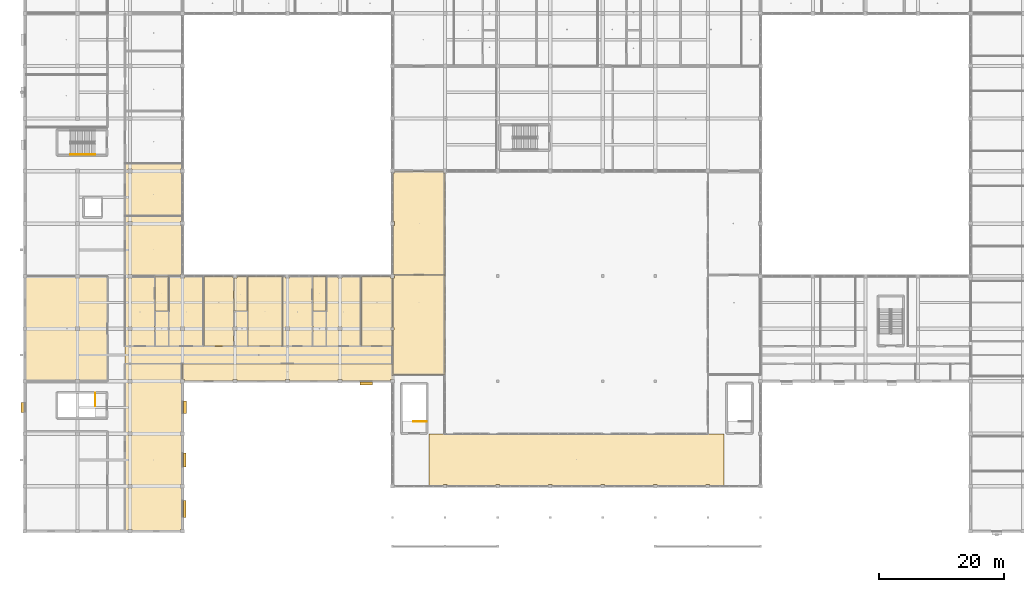
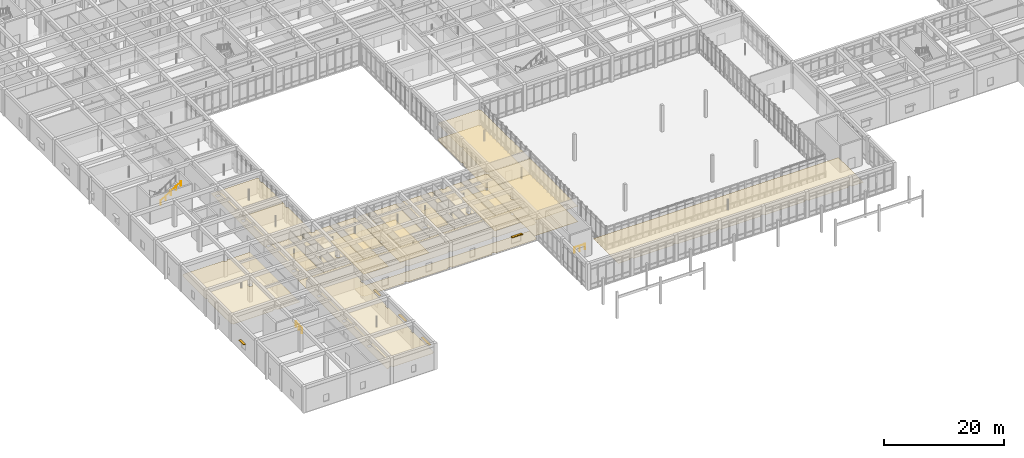
# One storey, part 135 of 157: 31 coverings, 5 shading devices, 3 railings.
"""IFC4 building model written with IfcOpenShell, lengths in metres."""

from ifc_helpers import new_model, si_unit, direction, frame, origin, origin_2d, place, context, subcontext, project, spatial, polyline, rectangle, circle, outline, extrude, material, layer, layer_set, type_object, element, save


model = new_model("IFC4")

# Units and contexts
model_context = context("Model", 3, precision=1e-05, world=origin(), true_north=direction((0.0, 1.0)))
body_context = subcontext(model_context, "Body", "Model", "MODEL_VIEW")
ifc_project = project(units=[si_unit("LENGTHUNIT", "METRE"), si_unit("AREAUNIT", "SQUARE_METRE"), si_unit("VOLUMEUNIT", "CUBIC_METRE"), si_unit("PLANEANGLEUNIT", "RADIAN"), si_unit("MASSUNIT", "GRAM", prefix="KILO")], contexts=[model_context])

# Site, building, storey
site_placement = place(None, origin())
site = spatial("IfcSite", under=ifc_project, at=site_placement, CompositionType="ELEMENT")
building_placement = place(site_placement, origin())
building = spatial("IfcBuilding", under=site, at=building_placement, Name="Varncliffe General Hospital", CompositionType="ELEMENT")
storey_placement = place(building_placement, frame((0.0, 0.0, 5.39990234375)))
storey = spatial("IfcBuildingStorey", under=building, at=storey_placement, Name="L01", CompositionType="ELEMENT", Elevation=5.39990234375)

# Coverings
ifc_material_1 = material(Name="Hygienic antimicrobial acoustic suspended ceiling tile", Category="gypsum")
ifc_layer_1 = layer(ifc_material_1, 0.02490234375)
ifc_layer_set_1 = layer_set([ifc_layer_1], Name="Hygienic antimicrobial acoustic suspended ceiling tile")
covering_type_1 = type_object("IfcCoveringType", Name="Antimicrobial Acoustic Suspended Ceiling CLG44", PredefinedType="CEILING", material=ifc_layer_set_1)
covering_1_placement = place(storey_placement, frame((0.0, 0.0, 3.175048828125)))
element("IfcCovering", 1, at=covering_1_placement, inside=storey, type_object=covering_type_1, Name="L01 Emergency South Corridor L01 Suspended Ceiling", PredefinedType="CEILING", context=body_context, shape_type="SweptSolid", body=[
    extrude(outline(polyline([(58.760009765625, 26.840087890625), (58.760009765625, 29.56005859375), (16.0400390625, 29.56005859375), (16.0400390625, 26.840087890625), (58.760009765625, 26.840087890625)])), origin(), (0.0, 0.0, 1.0), 0.025146484375),
])
covering_2_placement = place(storey_placement, frame((0.0, 0.0, 3.175048828125)))
element("IfcCovering", 2, at=covering_2_placement, inside=storey, type_object=covering_type_1, Name="L01 South Concourse Overlook Gallery Suspended Ceiling", PredefinedType="CEILING", context=body_context, shape_type="SweptSolid", body=[
    extrude(outline(polyline([(101.10009765625, 7.5), (100.5, 7.5), (100.5, 7.239990234375), (92.699951171875, 7.239990234375), (92.699951171875, 7.5), (92.10009765625, 7.5), (92.10009765625, 7.239990234375), (84.300048828125, 7.239990234375), (84.300048828125, 7.5), (83.699951171875, 7.5), (83.699951171875, 7.239990234375), (75.89990234375, 7.239990234375), (75.89990234375, 7.5), (75.300048828125, 7.5), (75.300048828125, 7.239990234375), (67.5, 7.239990234375), (67.5, 7.5), (66.89990234375, 7.5), (66.89990234375, 7.239990234375), (64.639892578125, 7.239990234375), (64.639892578125, 15.56005859375), (111.760009765625, 15.56005859375), (111.760009765625, 7.239990234375), (109.5, 7.239990234375), (109.5, 7.5), (108.89990234375, 7.5), (108.89990234375, 7.239990234375), (101.10009765625, 7.239990234375), (101.10009765625, 7.5)])), origin(), (0.0, 0.0, 1.0), 0.025146484375),
])
covering_3_placement = place(storey_placement, frame((0.0, 0.0, 3.175048828125)))
element("IfcCovering", 3, at=covering_3_placement, inside=storey, type_object=covering_type_1, Name="L01 Interfaith Sanctuary Chapel Suspended Ceiling", PredefinedType="CEILING", context=body_context, shape_type="SweptSolid", body=[
    extrude(outline(polyline([(67.159912109375, 40.9599609375), (67.159912109375, 25.0400390625), (58.840087890625, 25.0400390625), (58.840087890625, 32.175048828125), (59.02490234375, 32.175048828125), (59.02490234375, 32.625), (58.840087890625, 32.625), (58.840087890625, 40.5), (59.10009765625, 40.5), (59.10009765625, 40.9599609375), (67.159912109375, 40.9599609375)])), origin(), (0.0, 0.0, 1.0), 0.025146484375),
])
covering_4_placement = place(storey_placement, frame((0.0, 0.0, 3.175048828125)))
element("IfcCovering", 4, at=covering_4_placement, inside=storey, type_object=covering_type_1, Name="L01 Family Meditation and Quiet Lounge Suspended Ceiling", PredefinedType="CEILING", context=body_context, shape_type="SweptSolid", body=[
    extrude(outline(polyline([(59.10009765625, 41.0400390625), (59.10009765625, 41.10009765625), (58.840087890625, 41.10009765625), (58.840087890625, 48.89990234375), (59.10009765625, 48.89990234375), (59.10009765625, 49.5), (58.840087890625, 49.5), (58.840087890625, 57.300048828125), (59.10009765625, 57.300048828125), (59.10009765625, 57.56005859375), (66.89990234375, 57.56005859375), (66.89990234375, 57.300048828125), (67.159912109375, 57.300048828125), (67.159912109375, 41.0400390625), (59.10009765625, 41.0400390625)])), origin(), (0.0, 0.0, 1.0), 0.025146484375),
])
covering_5_placement = place(storey_placement, frame((0.0, 0.0, 3.175048828125)))
element("IfcCovering", 5, at=covering_5_placement, inside=storey, type_object=covering_type_1, Name="L01 Rapid Clinical Observation Room 45 Suspended Ceiling", PredefinedType="CEILING", context=body_context, shape_type="SweptSolid", body=[
    extrude(outline(polyline([(20.760009765625, 40.760009765625), (20.760009765625, 29.639892578125), (16.0400390625, 29.639892578125), (16.0400390625, 40.760009765625), (16.5, 40.760009765625), (16.5, 40.5), (17.10009765625, 40.5), (17.10009765625, 40.760009765625), (20.760009765625, 40.760009765625)]), holes=[polyline([(17.10009765625, 32.10009765625), (17.10009765625, 32.699951171875), (16.5, 32.699951171875), (16.5, 32.10009765625), (17.10009765625, 32.10009765625)])]), origin(), (0.0, 0.0, 1.0), 0.025146484375),
])
covering_6_placement = place(storey_placement, frame((0.0, 0.0, 3.175048828125)))
element("IfcCovering", 6, at=covering_6_placement, inside=storey, type_object=covering_type_1, Name="L01 En-Suite Bathroom 46 Suspended Ceiling", PredefinedType="CEILING", context=body_context, shape_type="SweptSolid", body=[
    extrude(outline(polyline([(22.9599609375, 29.639892578125), (22.9599609375, 35.159912109375), (20.840087890625, 35.159912109375), (20.840087890625, 29.639892578125), (22.9599609375, 29.639892578125)])), origin(), (0.0, 0.0, 1.0), 0.025146484375),
])
covering_7_placement = place(storey_placement, frame((0.0, 0.0, 3.175048828125)))
element("IfcCovering", 7, at=covering_7_placement, inside=storey, type_object=covering_type_1, Name="L01 Patient Medication and Hygiene Bay 47 Suspended Ceiling", PredefinedType="CEILING", context=body_context, shape_type="SweptSolid", body=[
    extrude(outline(polyline([(22.9599609375, 35.239990234375), (22.9599609375, 40.760009765625), (20.840087890625, 40.760009765625), (20.840087890625, 35.239990234375), (22.9599609375, 35.239990234375)])), origin(), (0.0, 0.0, 1.0), 0.025146484375),
])
covering_8_placement = place(storey_placement, frame((0.0, 0.0, 3.175048828125)))
element("IfcCovering", 8, at=covering_8_placement, inside=storey, type_object=covering_type_1, Name="L01 Emergency Short-Stay Treatment Bay 48 Suspended Ceiling", PredefinedType="CEILING", context=body_context, shape_type="SweptSolid", body=[
    extrude(outline(polyline([(28.56005859375, 40.760009765625), (28.56005859375, 29.639892578125), (23.0400390625, 29.639892578125), (23.0400390625, 40.760009765625), (24.89990234375, 40.760009765625), (24.89990234375, 40.5), (25.5, 40.5), (25.5, 40.760009765625), (28.56005859375, 40.760009765625)]), holes=[polyline([(25.5, 32.10009765625), (25.5, 32.699951171875), (24.89990234375, 32.699951171875), (24.89990234375, 32.10009765625), (25.5, 32.10009765625)])]), origin(), (0.0, 0.0, 1.0), 0.025146484375),
])
covering_9_placement = place(storey_placement, frame((0.0, 0.0, 3.175048828125)))
element("IfcCovering", 9, at=covering_9_placement, inside=storey, type_object=covering_type_1, Name="L01 Rapid Clinical Observation Room 49 Suspended Ceiling", PredefinedType="CEILING", context=body_context, shape_type="SweptSolid", body=[
    extrude(outline(polyline([(28.639892578125, 29.639892578125), (28.639892578125, 40.760009765625), (33.300048828125, 40.760009765625), (33.300048828125, 40.5), (33.360107421875, 40.5), (33.360107421875, 32.699951171875), (33.300048828125, 32.699951171875), (33.300048828125, 32.10009765625), (33.360107421875, 32.10009765625), (33.360107421875, 29.639892578125), (28.639892578125, 29.639892578125)])), origin(), (0.0, 0.0, 1.0), 0.025146484375),
])
covering_10_placement = place(storey_placement, frame((0.0, 0.0, 3.175048828125)))
element("IfcCovering", 10, at=covering_10_placement, inside=storey, type_object=covering_type_1, Name="L01 En-Suite Bathroom 50 Suspended Ceiling", PredefinedType="CEILING", context=body_context, shape_type="SweptSolid", body=[
    extrude(outline(polyline([(33.43994140625, 35.159912109375), (35.56005859375, 35.159912109375), (35.56005859375, 29.639892578125), (33.43994140625, 29.639892578125), (33.43994140625, 32.10009765625), (33.89990234375, 32.10009765625), (33.89990234375, 32.699951171875), (33.43994140625, 32.699951171875), (33.43994140625, 35.159912109375)])), origin(), (0.0, 0.0, 1.0), 0.025146484375),
])
covering_11_placement = place(storey_placement, frame((0.0, 0.0, 3.175048828125)))
element("IfcCovering", 11, at=covering_11_placement, inside=storey, type_object=covering_type_1, Name="L01 Patient Medication and Hygiene Bay 51 Suspended Ceiling", PredefinedType="CEILING", context=body_context, shape_type="SweptSolid", body=[
    extrude(outline(polyline([(35.56005859375, 40.760009765625), (35.56005859375, 35.239990234375), (33.43994140625, 35.239990234375), (33.43994140625, 40.5), (33.89990234375, 40.5), (33.89990234375, 40.760009765625), (35.56005859375, 40.760009765625)])), origin(), (0.0, 0.0, 1.0), 0.025146484375),
])
covering_12_placement = place(storey_placement, frame((0.0, 0.0, 3.175048828125)))
element("IfcCovering", 12, at=covering_12_placement, inside=storey, type_object=covering_type_1, Name="L01 Emergency Short-Stay Treatment Bay 52 Suspended Ceiling", PredefinedType="CEILING", context=body_context, shape_type="SweptSolid", body=[
    extrude(outline(polyline([(41.159912109375, 29.639892578125), (41.159912109375, 40.760009765625), (35.639892578125, 40.760009765625), (35.639892578125, 29.639892578125), (41.159912109375, 29.639892578125)])), origin(), (0.0, 0.0, 1.0), 0.025146484375),
])
covering_13_placement = place(storey_placement, frame((0.0, 0.0, 3.175048828125)))
element("IfcCovering", 13, at=covering_13_placement, inside=storey, type_object=covering_type_1, Name="L01 Rapid Clinical Observation Room 53 Suspended Ceiling", PredefinedType="CEILING", context=body_context, shape_type="SweptSolid", body=[
    extrude(outline(polyline([(45.9599609375, 40.760009765625), (45.9599609375, 29.639892578125), (41.239990234375, 29.639892578125), (41.239990234375, 40.760009765625), (41.699951171875, 40.760009765625), (41.699951171875, 40.5), (42.300048828125, 40.5), (42.300048828125, 40.760009765625), (45.9599609375, 40.760009765625)]), holes=[polyline([(42.300048828125, 32.10009765625), (42.300048828125, 32.699951171875), (41.699951171875, 32.699951171875), (41.699951171875, 32.10009765625), (42.300048828125, 32.10009765625)])]), origin(), (0.0, 0.0, 1.0), 0.025146484375),
])
covering_14_placement = place(storey_placement, frame((0.0, 0.0, 3.175048828125)))
element("IfcCovering", 14, at=covering_14_placement, inside=storey, type_object=covering_type_1, Name="L01 En-Suite Bathroom 54 Suspended Ceiling", PredefinedType="CEILING", context=body_context, shape_type="SweptSolid", body=[
    extrude(outline(polyline([(48.159912109375, 29.639892578125), (48.159912109375, 35.159912109375), (46.0400390625, 35.159912109375), (46.0400390625, 29.639892578125), (48.159912109375, 29.639892578125)])), origin(), (0.0, 0.0, 1.0), 0.025146484375),
])
covering_15_placement = place(storey_placement, frame((0.0, 0.0, 3.175048828125)))
element("IfcCovering", 15, at=covering_15_placement, inside=storey, type_object=covering_type_1, Name="L01 Patient Medication and Hygiene Bay 55 Suspended Ceiling", PredefinedType="CEILING", context=body_context, shape_type="SweptSolid", body=[
    extrude(outline(polyline([(48.159912109375, 35.239990234375), (48.159912109375, 40.760009765625), (46.0400390625, 40.760009765625), (46.0400390625, 35.239990234375), (48.159912109375, 35.239990234375)])), origin(), (0.0, 0.0, 1.0), 0.025146484375),
])
covering_16_placement = place(storey_placement, frame((0.0, 0.0, 3.175048828125)))
element("IfcCovering", 16, at=covering_16_placement, inside=storey, type_object=covering_type_1, Name="L01 Emergency Short-Stay Treatment Bay 56 Suspended Ceiling", PredefinedType="CEILING", context=body_context, shape_type="SweptSolid", body=[
    extrude(outline(polyline([(53.760009765625, 40.760009765625), (53.760009765625, 29.639892578125), (48.239990234375, 29.639892578125), (48.239990234375, 40.760009765625), (50.10009765625, 40.760009765625), (50.10009765625, 40.5), (50.699951171875, 40.5), (50.699951171875, 40.760009765625), (53.760009765625, 40.760009765625)]), holes=[polyline([(50.699951171875, 32.10009765625), (50.699951171875, 32.699951171875), (50.10009765625, 32.699951171875), (50.10009765625, 32.10009765625), (50.699951171875, 32.10009765625)])]), origin(), (0.0, 0.0, 1.0), 0.025146484375),
])
covering_17_placement = place(storey_placement, frame((0.0, 0.0, 3.175048828125)))
element("IfcCovering", 17, at=covering_17_placement, inside=storey, type_object=covering_type_1, Name="L01 Rapid Clinical Observation Room 57 Suspended Ceiling", PredefinedType="CEILING", context=body_context, shape_type="SweptSolid", body=[
    extrude(outline(polyline([(53.840087890625, 29.639892578125), (53.840087890625, 40.760009765625), (58.5, 40.760009765625), (58.5, 40.5), (58.760009765625, 40.5), (58.760009765625, 32.625), (58.574951171875, 32.625), (58.574951171875, 32.175048828125), (58.760009765625, 32.175048828125), (58.760009765625, 29.639892578125), (53.840087890625, 29.639892578125)])), origin(), (0.0, 0.0, 1.0), 0.025146484375),
])
covering_18_placement = place(storey_placement, frame((0.0, 0.0, 3.175048828125)))
element("IfcCovering", 18, at=covering_18_placement, inside=storey, type_object=covering_type_1, Name="L01 Emergency Sub-Acute Assessment Unit Suspended Ceiling", PredefinedType="CEILING", context=body_context, shape_type="SweptSolid", body=[
    extrude(outline(polyline([(24.89990234375, 15.89990234375), (24.89990234375, 15.300048828125), (25.159912109375, 15.300048828125), (25.159912109375, 7.5), (24.89990234375, 7.5), (24.89990234375, 6.89990234375), (25.159912109375, 6.89990234375), (25.159912109375, 0.300048828125), (24.89990234375, 0.300048828125), (24.89990234375, 0.0400390625), (17.10009765625, 0.0400390625), (17.10009765625, 0.300048828125), (16.5, 0.300048828125), (16.5, 0.0400390625), (16.0400390625, 0.0400390625), (16.0400390625, 26.760009765625), (25.159912109375, 26.760009765625), (25.159912109375, 24.300048828125), (24.89990234375, 24.300048828125), (24.89990234375, 23.699951171875), (25.159912109375, 23.699951171875), (25.159912109375, 15.89990234375), (24.89990234375, 15.89990234375)]), holes=[polyline([(17.10009765625, 6.89990234375), (17.10009765625, 7.5), (16.5, 7.5), (16.5, 6.89990234375), (17.10009765625, 6.89990234375)]), polyline([(17.10009765625, 15.300048828125), (17.10009765625, 15.89990234375), (16.5, 15.89990234375), (16.5, 15.300048828125), (17.10009765625, 15.300048828125)]), polyline([(17.10009765625, 23.699951171875), (17.10009765625, 24.300048828125), (16.5, 24.300048828125), (16.5, 23.699951171875), (17.10009765625, 23.699951171875)])]), origin(), (0.0, 0.0, 1.0), 0.025146484375),
])
covering_19_placement = place(storey_placement, frame((0.0, 0.0, 3.175048828125)))
element("IfcCovering", 19, at=covering_19_placement, inside=storey, type_object=covering_type_1, Name="L01 Observation Waiting and Family Suite Suspended Ceiling", PredefinedType="CEILING", context=body_context, shape_type="SweptSolid", body=[
    extrude(outline(polyline([(50.699951171875, 24.300048828125), (50.10009765625, 24.300048828125), (50.10009765625, 24.0400390625), (42.300048828125, 24.0400390625), (42.300048828125, 24.300048828125), (41.699951171875, 24.300048828125), (41.699951171875, 24.0400390625), (33.89990234375, 24.0400390625), (33.89990234375, 24.300048828125), (33.300048828125, 24.300048828125), (33.300048828125, 24.0400390625), (25.5, 24.0400390625), (25.5, 24.300048828125), (25.239990234375, 24.300048828125), (25.239990234375, 26.760009765625), (58.760009765625, 26.760009765625), (58.760009765625, 24.300048828125), (58.5, 24.300048828125), (58.5, 24.0400390625), (50.699951171875, 24.0400390625), (50.699951171875, 24.300048828125)])), origin(), (0.0, 0.0, 1.0), 0.025146484375),
])
covering_20_placement = place(storey_placement, frame((0.0, 0.0, 3.175048828125)))
element("IfcCovering", 20, at=covering_20_placement, inside=storey, type_object=covering_type_1, Name="L01 Observation Nurse Station and Clean Utility Suspended Ceiling", PredefinedType="CEILING", context=body_context, shape_type="SweptSolid", body=[
    extrude(outline(polyline([(8.699951171875, 24.300048828125), (8.10009765625, 24.300048828125), (8.10009765625, 24.0400390625), (0.300048828125, 24.0400390625), (0.300048828125, 24.300048828125), (0.0400390625, 24.300048828125), (0.0400390625, 32.10009765625), (0.300048828125, 32.10009765625), (0.300048828125, 32.699951171875), (0.0400390625, 32.699951171875), (0.0400390625, 40.5), (0.300048828125, 40.5), (0.300048828125, 40.760009765625), (8.10009765625, 40.760009765625), (8.10009765625, 40.5), (8.699951171875, 40.5), (8.699951171875, 40.760009765625), (13.159912109375, 40.760009765625), (13.159912109375, 24.0400390625), (8.699951171875, 24.0400390625), (8.699951171875, 24.300048828125)]), holes=[polyline([(8.699951171875, 32.10009765625), (8.699951171875, 32.699951171875), (8.10009765625, 32.699951171875), (8.10009765625, 32.10009765625), (8.699951171875, 32.10009765625)])]), origin(), (0.0, 0.0, 1.0), 0.025146484375),
])
covering_21_placement = place(storey_placement, frame((0.0, 0.0, 3.175048828125)))
element("IfcCovering", 21, at=covering_21_placement, inside=storey, type_object=covering_type_1, Name="L01 Clinical Pathology Laboratory 64 Suspended Ceiling", PredefinedType="CEILING", context=body_context, shape_type="SweptSolid", body=[
    extrude(outline(polyline([(25.159912109375, 50.360107421875), (25.159912109375, 49.5), (24.89990234375, 49.5), (24.89990234375, 48.89990234375), (25.159912109375, 48.89990234375), (25.159912109375, 41.10009765625), (24.89990234375, 41.10009765625), (24.89990234375, 40.840087890625), (17.10009765625, 40.840087890625), (17.10009765625, 41.10009765625), (16.5, 41.10009765625), (16.5, 40.840087890625), (16.0400390625, 40.840087890625), (16.0400390625, 50.360107421875), (25.159912109375, 50.360107421875)]), holes=[polyline([(17.10009765625, 48.89990234375), (17.10009765625, 49.5), (16.5, 49.5), (16.5, 48.89990234375), (17.10009765625, 48.89990234375)])]), origin(), (0.0, 0.0, 1.0), 0.025146484375),
])
covering_22_placement = place(storey_placement, frame((0.0, 0.0, 3.175048828125)))
element("IfcCovering", 22, at=covering_22_placement, inside=storey, type_object=covering_type_1, Name="L01 Transfusion Blood Bank Laboratory 65 Suspended Ceiling", PredefinedType="CEILING", context=body_context, shape_type="SweptSolid", body=[
    extrude(outline(polyline([(25.159912109375, 50.43994140625), (16.0400390625, 50.43994140625), (16.0400390625, 58.760009765625), (25.159912109375, 58.760009765625), (25.159912109375, 57.89990234375), (24.89990234375, 57.89990234375), (24.89990234375, 57.300048828125), (25.159912109375, 57.300048828125), (25.159912109375, 50.43994140625)]), holes=[polyline([(17.10009765625, 57.300048828125), (17.10009765625, 57.89990234375), (16.5, 57.89990234375), (16.5, 57.300048828125), (17.10009765625, 57.300048828125)])]), origin(), (0.0, 0.0, 1.0), 0.025146484375),
])

# Shading devices
ifc_material_2 = material(Name="Dark bronze extruded aluminium solar jalousie louvres", Category="aluminium")
ifc_layer_2 = layer(ifc_material_2, 0.080078125)
ifc_layer_set_2 = layer_set([ifc_layer_2], Name="Dark bronze extruded aluminium solar jalousie louvres")
shading_device_type = type_object("IfcShadingDeviceType", Name="Bronze Solar Jalousie Louvre Hood SHD18", PredefinedType="JALOUSIE", material=ifc_layer_set_2)
shading_device_1_placement = place(storey_placement, frame((25.590087890625, 19.800048828125, 3.260009765625), z_axis=(0.0, 0.0, 1.0), x_axis=(0.0, -1.0, 0.0)))
element("IfcShadingDevice", 23, at=shading_device_1_placement, inside=storey, type_object=shading_device_type, Name="L01 Bronze Window Sun-Shading Louvre 19", PredefinedType="JALOUSIE", context=body_context, shape_type="SweptSolid", body=[
    extrude(rectangle(XDim=2.0, YDim=0.449951171875, at=origin_2d()), origin(), (0.0, 0.0, 1.0), 0.080078125),
])
shading_device_2_placement = place(storey_placement, frame((25.580078125, 11.39990234375, 3.260009765625), z_axis=(0.0, 0.0, 1.0), x_axis=(0.0, -1.0, 0.0)))
element("IfcShadingDevice", 24, at=shading_device_2_placement, inside=storey, type_object=shading_device_type, Name="L01 Bronze Window Sun-Shading Louvre 20", PredefinedType="JALOUSIE", context=body_context, shape_type="SweptSolid", body=[
    extrude(rectangle(XDim=2.300048828125, YDim=0.449951171875, at=origin_2d()), origin(), (0.0, 0.0, 1.0), 0.080078125),
])
shading_device_3_placement = place(storey_placement, frame((25.570068359375, 3.60009765625, 3.260009765625), z_axis=(0.0, 0.0, 1.0), x_axis=(0.0, -1.0, 0.0)))
element("IfcShadingDevice", 25, at=shading_device_3_placement, inside=storey, type_object=shading_device_type, Name="L01 Bronze Window Sun-Shading Louvre 21", PredefinedType="JALOUSIE", context=body_context, shape_type="SweptSolid", body=[
    extrude(rectangle(XDim=2.699951171875, YDim=0.449951171875, at=origin_2d()), origin(), (0.0, 0.0, 1.0), 0.080078125),
])
shading_device_4_placement = place(storey_placement, frame((-0.389892578125, 19.800048828125, 2.31005859375), z_axis=(0.0, 0.0, 1.0), x_axis=(0.0, 1.0, 0.0)))
element("IfcShadingDevice", 26, at=shading_device_4_placement, inside=storey, type_object=shading_device_type, Name="L01 Bronze Window Sun-Shading Louvre 22", PredefinedType="JALOUSIE", context=body_context, shape_type="SweptSolid", body=[
    extrude(rectangle(XDim=1.60009765625, YDim=0.449951171875, at=origin_2d()), origin(), (0.0, 0.0, 1.0), 0.080078125),
])
shading_device_5_placement = place(storey_placement, frame((54.60009765625, 23.610107421875, 2.4599609375), z_axis=(0.0, 0.0, 1.0), x_axis=(-1.0, 0.0, 0.0)))
element("IfcShadingDevice", 27, at=shading_device_5_placement, inside=storey, type_object=shading_device_type, Name="L01 Bronze Window Sun-Shading Louvre 43", PredefinedType="JALOUSIE", context=body_context, shape_type="SweptSolid", body=[
    extrude(rectangle(XDim=2.0, YDim=0.449951171875, at=origin_2d()), origin(), (0.0, 0.0, 1.0), 0.080078125),
])

# Coverings
ifc_material_3 = material(Name="Seamless welded hospital sheet linoleum and terrazzo flooring", Category="linoleum")
ifc_layer_3 = layer(ifc_material_3, 0.011962890625)
ifc_layer_set_3 = layer_set([ifc_layer_3], Name="Seamless welded hospital sheet linoleum and terrazzo flooring")
covering_type_2 = type_object("IfcCoveringType", Name="Seamless Hospital Linoleum Flooring FLR19", PredefinedType="FLOORING", material=ifc_layer_set_3)
covering_23_placement = place(storey_placement, origin())
element("IfcCovering", 28, at=covering_23_placement, inside=storey, type_object=covering_type_2, Name="L01 Interfaith Sanctuary Chapel Seamless Flooring", PredefinedType="FLOORING", context=body_context, shape_type="SweptSolid", body=[
    extrude(outline(polyline([(67.159912109375, 40.9599609375), (67.159912109375, 25.0400390625), (58.840087890625, 25.0400390625), (58.840087890625, 32.175048828125), (59.02490234375, 32.175048828125), (59.02490234375, 32.625), (58.840087890625, 32.625), (58.840087890625, 40.5), (59.10009765625, 40.5), (59.10009765625, 40.9599609375), (67.159912109375, 40.9599609375)])), origin(), (0.0, 0.0, 1.0), 0.01220703125),
])
covering_24_placement = place(storey_placement, origin())
element("IfcCovering", 29, at=covering_24_placement, inside=storey, type_object=covering_type_2, Name="L01 Family Meditation and Quiet Lounge Seamless Flooring", PredefinedType="FLOORING", context=body_context, shape_type="SweptSolid", body=[
    extrude(outline(polyline([(59.10009765625, 41.0400390625), (59.10009765625, 41.10009765625), (58.840087890625, 41.10009765625), (58.840087890625, 48.89990234375), (59.10009765625, 48.89990234375), (59.10009765625, 49.5), (58.840087890625, 49.5), (58.840087890625, 57.300048828125), (59.10009765625, 57.300048828125), (59.10009765625, 57.56005859375), (66.89990234375, 57.56005859375), (66.89990234375, 57.300048828125), (67.159912109375, 57.300048828125), (67.159912109375, 41.0400390625), (59.10009765625, 41.0400390625)])), origin(), (0.0, 0.0, 1.0), 0.01220703125),
])
covering_25_placement = place(storey_placement, origin())
element("IfcCovering", 30, at=covering_25_placement, inside=storey, type_object=covering_type_2, Name="L01 Patient Medication and Hygiene Bay 47 Seamless Flooring", PredefinedType="FLOORING", context=body_context, shape_type="SweptSolid", body=[
    extrude(outline(polyline([(22.9599609375, 35.239990234375), (22.9599609375, 40.760009765625), (20.840087890625, 40.760009765625), (20.840087890625, 35.239990234375), (22.9599609375, 35.239990234375)])), origin(), (0.0, 0.0, 1.0), 0.01220703125),
])
covering_26_placement = place(storey_placement, origin())
element("IfcCovering", 31, at=covering_26_placement, inside=storey, type_object=covering_type_2, Name="L01 Rapid Clinical Observation Room 49 Seamless Flooring", PredefinedType="FLOORING", context=body_context, shape_type="SweptSolid", body=[
    extrude(outline(polyline([(28.639892578125, 29.639892578125), (28.639892578125, 40.760009765625), (33.300048828125, 40.760009765625), (33.300048828125, 40.5), (33.360107421875, 40.5), (33.360107421875, 32.699951171875), (33.300048828125, 32.699951171875), (33.300048828125, 32.10009765625), (33.360107421875, 32.10009765625), (33.360107421875, 29.639892578125), (28.639892578125, 29.639892578125)])), origin(), (0.0, 0.0, 1.0), 0.01220703125),
])
covering_27_placement = place(storey_placement, origin())
element("IfcCovering", 32, at=covering_27_placement, inside=storey, type_object=covering_type_2, Name="L01 Patient Medication and Hygiene Bay 51 Seamless Flooring", PredefinedType="FLOORING", context=body_context, shape_type="SweptSolid", body=[
    extrude(outline(polyline([(35.56005859375, 40.760009765625), (35.56005859375, 35.239990234375), (33.43994140625, 35.239990234375), (33.43994140625, 40.5), (33.89990234375, 40.5), (33.89990234375, 40.760009765625), (35.56005859375, 40.760009765625)])), origin(), (0.0, 0.0, 1.0), 0.01220703125),
])
covering_28_placement = place(storey_placement, origin())
element("IfcCovering", 33, at=covering_28_placement, inside=storey, type_object=covering_type_2, Name="L01 Emergency Short-Stay Treatment Bay 52 Seamless Flooring", PredefinedType="FLOORING", context=body_context, shape_type="SweptSolid", body=[
    extrude(outline(polyline([(41.159912109375, 29.639892578125), (41.159912109375, 40.760009765625), (35.639892578125, 40.760009765625), (35.639892578125, 29.639892578125), (41.159912109375, 29.639892578125)])), origin(), (0.0, 0.0, 1.0), 0.01220703125),
])
covering_29_placement = place(storey_placement, origin())
element("IfcCovering", 34, at=covering_29_placement, inside=storey, type_object=covering_type_2, Name="L01 Patient Medication and Hygiene Bay 55 Seamless Flooring", PredefinedType="FLOORING", context=body_context, shape_type="SweptSolid", body=[
    extrude(outline(polyline([(48.159912109375, 35.239990234375), (48.159912109375, 40.760009765625), (46.0400390625, 40.760009765625), (46.0400390625, 35.239990234375), (48.159912109375, 35.239990234375)])), origin(), (0.0, 0.0, 1.0), 0.01220703125),
])
covering_30_placement = place(storey_placement, origin())
element("IfcCovering", 35, at=covering_30_placement, inside=storey, type_object=covering_type_2, Name="L01 Rapid Clinical Observation Room 57 Seamless Flooring", PredefinedType="FLOORING", context=body_context, shape_type="SweptSolid", body=[
    extrude(outline(polyline([(53.840087890625, 29.639892578125), (53.840087890625, 40.760009765625), (58.5, 40.760009765625), (58.5, 40.5), (58.760009765625, 40.5), (58.760009765625, 32.625), (58.574951171875, 32.625), (58.574951171875, 32.175048828125), (58.760009765625, 32.175048828125), (58.760009765625, 29.639892578125), (53.840087890625, 29.639892578125)])), origin(), (0.0, 0.0, 1.0), 0.01220703125),
])
covering_31_placement = place(storey_placement, origin())
element("IfcCovering", 36, at=covering_31_placement, inside=storey, type_object=covering_type_2, Name="L01 Observation Waiting and Family Suite Seamless Flooring", PredefinedType="FLOORING", context=body_context, shape_type="SweptSolid", body=[
    extrude(outline(polyline([(50.699951171875, 24.300048828125), (50.10009765625, 24.300048828125), (50.10009765625, 24.0400390625), (42.300048828125, 24.0400390625), (42.300048828125, 24.300048828125), (41.699951171875, 24.300048828125), (41.699951171875, 24.0400390625), (33.89990234375, 24.0400390625), (33.89990234375, 24.300048828125), (33.300048828125, 24.300048828125), (33.300048828125, 24.0400390625), (25.5, 24.0400390625), (25.5, 24.300048828125), (25.239990234375, 24.300048828125), (25.239990234375, 26.760009765625), (58.760009765625, 26.760009765625), (58.760009765625, 24.300048828125), (58.5, 24.300048828125), (58.5, 24.0400390625), (50.699951171875, 24.0400390625), (50.699951171875, 24.300048828125)])), origin(), (0.0, 0.0, 1.0), 0.01220703125),
])

# Railings
ifc_material_4 = material(Name="Powder-coated hospital steel guardrail and handrail", Category="steel")
railing_type_1 = type_object("IfcRailingType", Name="Stair and Ramp Handrail HR46", PredefinedType="HANDRAIL", material=ifc_material_4)
railing_1_placement = place(storey_placement, frame((7.280029296875, 60.25, 3.064208984375)))
element("IfcRailing", 37, at=railing_1_placement, inside=storey, type_object=railing_type_1, Name="L01 ST05 stair handrail 2", PredefinedType="HANDRAIL", context=body_context, shape_type="SweptSolid", body=[
    extrude(circle(Radius=0.02392578125, at=origin_2d()), frame((0.0, 0.0, 0.8759765625), z_axis=(0.84119549742, 0.0, 0.540731111663), x_axis=(0.0, 1.0, 0.0)), (0.0, 0.0, 1.0), 4.659912109375),
    extrude(circle(Radius=0.02099609375, at=origin_2d()), origin(), (0.0, 0.0, 1.0), 0.851806640625),
    extrude(circle(Radius=0.02099609375, at=origin_2d()), frame((0.97998046875, 0.0, 0.6298828125)), (0.0, 0.0, 1.0), 0.851806640625),
    extrude(circle(Radius=0.02099609375, at=origin_2d()), frame((1.9599609375, 0.0, 1.259765625)), (0.0, 0.0, 1.0), 0.851806640625),
    extrude(circle(Radius=0.02099609375, at=origin_2d()), frame((2.93994140625, 0.0, 1.889892578125)), (0.0, 0.0, 1.0), 0.851806640625),
    extrude(circle(Radius=0.02099609375, at=origin_2d()), frame((3.919921875, 0.0, 2.519775390625)), (0.0, 0.0, 1.0), 0.851806640625),
])
railing_type_2 = type_object("IfcRailingType", Name="Stairwell Guardrail SG49", PredefinedType="GUARDRAIL", material=ifc_material_4)
railing_2_placement = place(storey_placement, frame((11.25, 22.10009765625, 0.0)))
element("IfcRailing", 38, at=railing_2_placement, inside=storey, type_object=railing_type_2, Name="L01 ST08 top well guard 1", PredefinedType="GUARDRAIL", context=body_context, shape_type="SweptSolid", body=[
    extrude(circle(Radius=0.02392578125, at=origin_2d()), frame((0.0, 0.0, 1.076171875), z_axis=(0.0, -1.0, 0.0), x_axis=(1.0, 0.0, 0.0)), (0.0, 0.0, 1.0), 2.050048828125),
    extrude(circle(Radius=0.02099609375, at=origin_2d()), origin(), (0.0, 0.0, 1.0), 1.052001953125),
    extrude(circle(Radius=0.02099609375, at=origin_2d()), frame((0.0, -1.02490234375, 0.0)), (0.0, 0.0, 1.0), 1.052001953125),
    extrude(circle(Radius=0.02099609375, at=origin_2d()), frame((0.0, -2.050048828125, 0.0)), (0.0, 0.0, 1.0), 1.052001953125),
])
railing_3_placement = place(storey_placement, frame((64.199951171875, 17.550048828125, 0.0)))
element("IfcRailing", 39, at=railing_3_placement, inside=storey, type_object=railing_type_2, Name="L01 ST09 top well guard 1", PredefinedType="GUARDRAIL", context=body_context, shape_type="SweptSolid", body=[
    extrude(circle(Radius=0.02392578125, at=origin_2d()), frame((0.0, 0.0, 1.076171875), z_axis=(-1.0, 0.0, 0.0), x_axis=(0.0, -1.0, 0.0)), (0.0, 0.0, 1.0), 2.050048828125),
    extrude(circle(Radius=0.02099609375, at=origin_2d()), origin(), (0.0, 0.0, 1.0), 1.052001953125),
    extrude(circle(Radius=0.02099609375, at=origin_2d()), frame((-1.02490234375, 0.0, 0.0)), (0.0, 0.0, 1.0), 1.052001953125),
    extrude(circle(Radius=0.02099609375, at=origin_2d()), frame((-2.050048828125, 0.0, 0.0)), (0.0, 0.0, 1.0), 1.052001953125),
])

save(model, "model.ifc")
